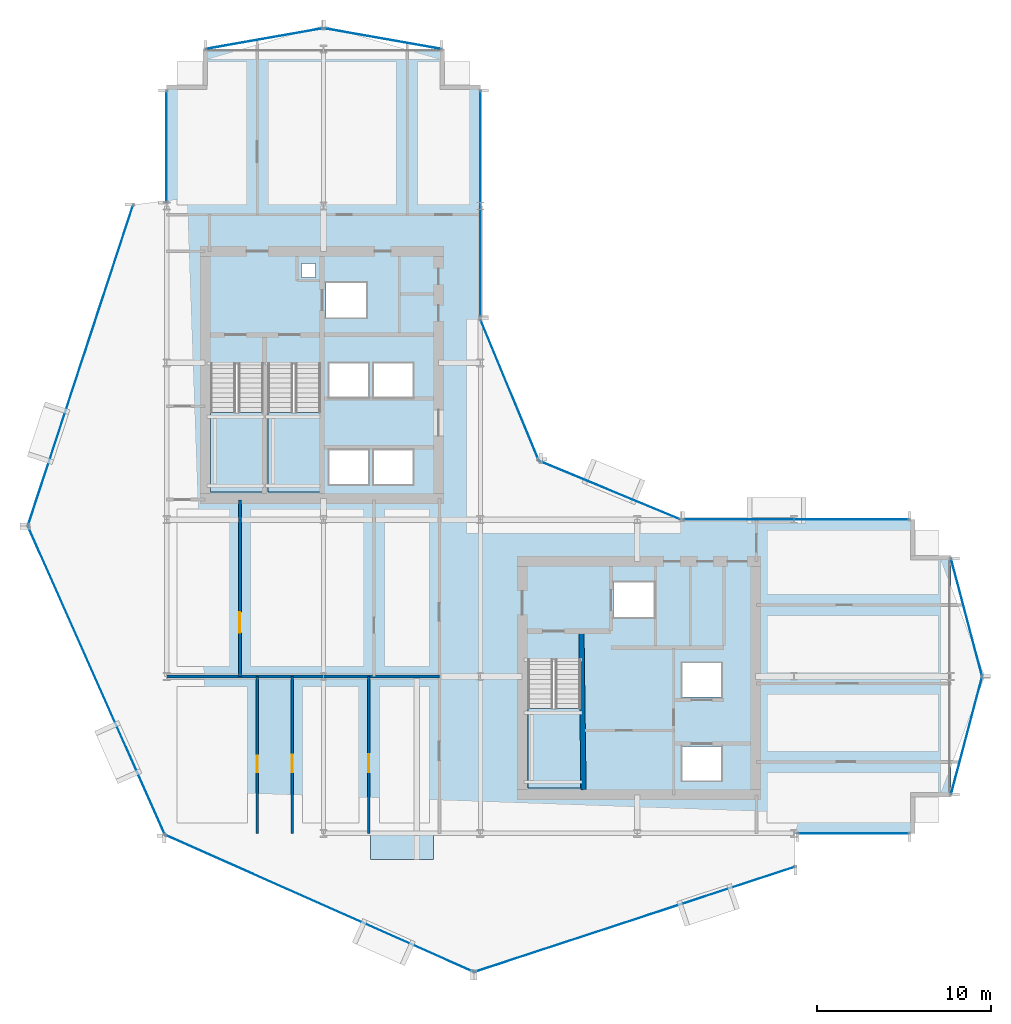
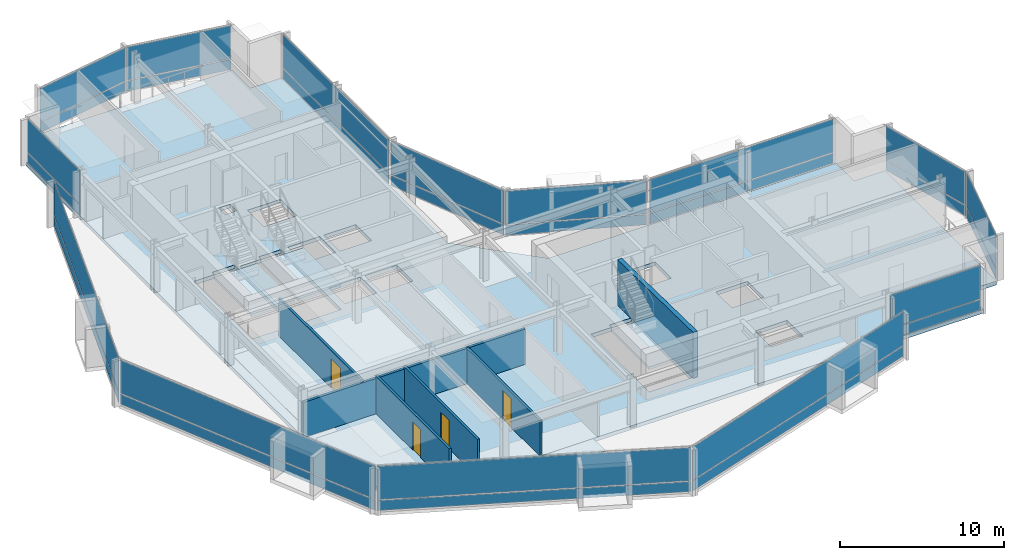
# One storey, part 21 of 29: 28 plates, 6 walls, 5 slabs, 4 doors, 4 openings, 17 elements without a shape of their own.
"""IFC4 building model written with IfcOpenShell, lengths in metres."""

from ifc_helpers import new_model, si_unit, direction, frame, frame_2d, origin, origin_2d, place, context, subcontext, project, spatial, polyline, rectangle, outline, extrude, material, layer, layer_set, type_object, element, fill, aggregate, save


model = new_model("IFC4")

# Units and contexts
model_context = context("Model", 3, precision=1e-05, world=origin(), true_north=direction((0.0, 1.0)))
body_context = subcontext(model_context, "Body", "Model", "MODEL_VIEW")
ifc_project = project(units=[si_unit("LENGTHUNIT", "METRE"), si_unit("AREAUNIT", "SQUARE_METRE"), si_unit("VOLUMEUNIT", "CUBIC_METRE"), si_unit("PLANEANGLEUNIT", "RADIAN"), si_unit("MASSUNIT", "GRAM", prefix="KILO")], contexts=[model_context])

# Site, building, storey
site_placement = place(None, origin())
site = spatial("IfcSite", under=ifc_project, at=site_placement, CompositionType="ELEMENT")
building_placement = place(site_placement, origin())
building = spatial("IfcBuilding", under=site, at=building_placement, Name="Solvaryn Broadcast Tower", CompositionType="ELEMENT")
storey_placement = place(building_placement, frame((0.0, 0.0, 124.800048828125)))
storey = spatial("IfcBuildingStorey", under=building, at=storey_placement, Name="L30", CompositionType="ELEMENT", Elevation=124.800048828125)

# Curtain wall, plates
ifc_material_1 = material(Name="Aluminium and Terracotta Unitised Curtain Wall", Category="masonry")
ifc_layer_1 = layer(ifc_material_1, 0.199951171875)
ifc_layer_set_1 = layer_set([ifc_layer_1], Name="CW-SYS2-LOWMID")
curtain_wall_type = type_object("IfcCurtainWallType", Name="CW-SYS2-LOWMID", PredefinedType="NOTDEFINED", material=ifc_layer_set_1)
curtain_wall_1_placement = place(storey_placement, origin())
curtain_wall_1 = element("IfcCurtainWall", 1, at=curtain_wall_1_placement, inside=storey, type_object=curtain_wall_type, Name="L30 Curtain Wall DR1", PredefinedType="NOTDEFINED")
ifc_material_2 = material(Name="Kiln-Fired Architectural Terracotta Spandrel", Category="masonry")
ifc_layer_2 = layer(ifc_material_2, 0.048095703125)
ifc_layer_set_2 = layer_set([ifc_layer_2], Name="CW-PNL-TERRACOTTA")
plate_type = type_object("IfcPlateType", Name="CW-PNL-TERRACOTTA", PredefinedType="CURTAIN_PANEL", material=ifc_layer_set_2)
plate_1_placement = place(storey_placement, frame((4.056396484375, 35.8515625, 0.06005859375), z_axis=(0.0, 0.0, 1.0), x_axis=(-0.311646057547, -0.950198260794, 0.0)))
plate_1 = element("IfcPlate", 2, at=plate_1_placement, type_object=plate_type, Name="CWS2 panel 1.1", PredefinedType="CURTAIN_PANEL", context=body_context, shape_type="SweptSolid", body=[
    extrude(rectangle(XDim=19.277099609375, YDim=0.028076171875, at=origin_2d()), origin(), (0.0, 0.0, 1.0), 0.760009765625),
])
plate_2_placement = place(storey_placement, frame((4.056396484375, 35.8515625, 0.8798828125), z_axis=(0.0, 0.0, 1.0), x_axis=(-0.311646057547, -0.950198260794, 0.0)))
plate_2 = element("IfcPlate", 3, at=plate_2_placement, type_object=plate_type, Name="CWS2 panel 1.2", PredefinedType="CURTAIN_PANEL", context=body_context, shape_type="SweptSolid", body=[
    extrude(rectangle(XDim=19.277099609375, YDim=0.028076171875, at=origin_2d()), origin(), (0.0, 0.0, 1.0), 2.47998046875),
])
aggregate(curtain_wall_1, [plate_1, plate_2])

curtain_wall_2_placement = place(storey_placement, origin())
curtain_wall_2 = element("IfcCurtainWall", 4, at=curtain_wall_2_placement, inside=storey, type_object=curtain_wall_type, Name="L30 Curtain Wall DR2", PredefinedType="NOTDEFINED")
plate_3_placement = place(storey_placement, frame((4.970947265625, 17.77197265625, 0.06005859375), z_axis=(0.0, 0.0, 1.0), x_axis=(0.405918429309, -0.913909311008, 0.0)))
plate_3 = element("IfcPlate", 5, at=plate_3_placement, type_object=plate_type, Name="CWS2 panel 1.1", PredefinedType="CURTAIN_PANEL", context=body_context, shape_type="SweptSolid", body=[
    extrude(rectangle(XDim=19.278076171875, YDim=0.028076171875, at=origin_2d()), origin(), (0.0, 0.0, 1.0), 0.760009765625),
])
plate_4_placement = place(storey_placement, frame((4.970947265625, 17.77197265625, 0.8798828125), z_axis=(0.0, 0.0, 1.0), x_axis=(0.405918429309, -0.913909311008, 0.0)))
plate_4 = element("IfcPlate", 6, at=plate_4_placement, type_object=plate_type, Name="CWS2 panel 1.2", PredefinedType="CURTAIN_PANEL", context=body_context, shape_type="SweptSolid", body=[
    extrude(rectangle(XDim=19.278076171875, YDim=0.028076171875, at=origin_2d()), origin(), (0.0, 0.0, 1.0), 2.47998046875),
])
aggregate(curtain_wall_2, [plate_3, plate_4])

curtain_wall_3_placement = place(storey_placement, origin())
curtain_wall_3 = element("IfcCurtainWall", 7, at=curtain_wall_3_placement, inside=storey, type_object=curtain_wall_type, Name="L30 Curtain Wall DR3", PredefinedType="NOTDEFINED")
plate_5_placement = place(storey_placement, frame((17.77197265625, 4.970947265625, 0.06005859375), z_axis=(0.0, 0.0, 1.0), x_axis=(0.913909311008, -0.405918429309, 0.0)))
plate_5 = element("IfcPlate", 8, at=plate_5_placement, type_object=plate_type, Name="CWS2 panel 1.1", PredefinedType="CURTAIN_PANEL", context=body_context, shape_type="SweptSolid", body=[
    extrude(rectangle(XDim=19.278076171875, YDim=0.028076171875, at=origin_2d()), origin(), (0.0, 0.0, 1.0), 0.760009765625),
])
plate_6_placement = place(storey_placement, frame((17.77197265625, 4.970947265625, 0.8798828125), z_axis=(0.0, 0.0, 1.0), x_axis=(0.913909311008, -0.405918429309, 0.0)))
plate_6 = element("IfcPlate", 9, at=plate_6_placement, type_object=plate_type, Name="CWS2 panel 1.2", PredefinedType="CURTAIN_PANEL", context=body_context, shape_type="SweptSolid", body=[
    extrude(rectangle(XDim=19.278076171875, YDim=0.028076171875, at=origin_2d()), origin(), (0.0, 0.0, 1.0), 2.47998046875),
])
aggregate(curtain_wall_3, [plate_5, plate_6])

curtain_wall_4_placement = place(storey_placement, origin())
curtain_wall_4 = element("IfcCurtainWall", 10, at=curtain_wall_4_placement, inside=storey, type_object=curtain_wall_type, Name="L30 Curtain Wall DR4", PredefinedType="NOTDEFINED")
plate_7_placement = place(storey_placement, frame((35.8515625, 4.056396484375, 0.06005859375), z_axis=(0.0, 0.0, 1.0), x_axis=(0.950198260794, 0.311646057547, 0.0)))
plate_7 = element("IfcPlate", 11, at=plate_7_placement, type_object=plate_type, Name="CWS2 panel 1.1", PredefinedType="CURTAIN_PANEL", context=body_context, shape_type="SweptSolid", body=[
    extrude(rectangle(XDim=19.277099609375, YDim=0.028076171875, at=origin_2d()), origin(), (0.0, 0.0, 1.0), 0.760009765625),
])
plate_8_placement = place(storey_placement, frame((35.8515625, 4.056396484375, 0.8798828125), z_axis=(0.0, 0.0, 1.0), x_axis=(0.950198260794, 0.311646057547, 0.0)))
plate_8 = element("IfcPlate", 12, at=plate_8_placement, type_object=plate_type, Name="CWS2 panel 1.2", PredefinedType="CURTAIN_PANEL", context=body_context, shape_type="SweptSolid", body=[
    extrude(rectangle(XDim=19.277099609375, YDim=0.028076171875, at=origin_2d()), origin(), (0.0, 0.0, 1.0), 2.47998046875),
])
aggregate(curtain_wall_4, [plate_7, plate_8])

curtain_wall_5_placement = place(storey_placement, origin())
curtain_wall_5 = element("IfcCurtainWall", 13, at=curtain_wall_5_placement, inside=storey, type_object=curtain_wall_type, Name="L30 Curtain Wall W2", PredefinedType="NOTDEFINED")
plate_9_placement = place(storey_placement, frame((9.0, 48.408447265625, 0.06005859375), z_axis=(0.0, 0.0, 1.0), x_axis=(0.0, 1.0, 0.0)))
plate_9 = element("IfcPlate", 14, at=plate_9_placement, type_object=plate_type, Name="CWS2 panel 1.1", PredefinedType="CURTAIN_PANEL", context=body_context, shape_type="SweptSolid", body=[
    extrude(rectangle(XDim=6.363037109375, YDim=0.028076171875, at=origin_2d()), origin(), (0.0, 0.0, 1.0), 0.760009765625),
])
plate_10_placement = place(storey_placement, frame((9.0, 48.408447265625, 0.8798828125), z_axis=(0.0, 0.0, 1.0), x_axis=(0.0, 1.0, 0.0)))
plate_10 = element("IfcPlate", 15, at=plate_10_placement, type_object=plate_type, Name="CWS2 panel 1.2", PredefinedType="CURTAIN_PANEL", context=body_context, shape_type="SweptSolid", body=[
    extrude(rectangle(XDim=6.363037109375, YDim=0.028076171875, at=origin_2d()), origin(), (0.0, 0.0, 1.0), 2.47998046875),
])
aggregate(curtain_wall_5, [plate_9, plate_10])

curtain_wall_6_placement = place(storey_placement, origin())
curtain_wall_6 = element("IfcCurtainWall", 16, at=curtain_wall_6_placement, inside=storey, type_object=curtain_wall_type, Name="L30 Curtain Wall IV", PredefinedType="NOTDEFINED")
plate_11_placement = place(storey_placement, frame((27.0, 45.125, 0.06005859375), z_axis=(0.0, 0.0, 1.0), x_axis=(0.0, -1.0, 0.0)))
plate_11 = element("IfcPlate", 17, at=plate_11_placement, type_object=plate_type, Name="CWS2 panel 1.1", PredefinedType="CURTAIN_PANEL", context=body_context, shape_type="SweptSolid", body=[
    extrude(rectangle(XDim=12.929931640625, YDim=0.028076171875, at=origin_2d()), origin(), (0.0, 0.0, 1.0), 0.760009765625),
])
plate_12_placement = place(storey_placement, frame((27.0, 45.125, 0.8798828125), z_axis=(0.0, 0.0, 1.0), x_axis=(0.0, -1.0, 0.0)))
plate_12 = element("IfcPlate", 18, at=plate_12_placement, type_object=plate_type, Name="CWS2 panel 1.2", PredefinedType="CURTAIN_PANEL", context=body_context, shape_type="SweptSolid", body=[
    extrude(rectangle(XDim=12.929931640625, YDim=0.028076171875, at=origin_2d()), origin(), (0.0, 0.0, 1.0), 2.47998046875),
])
aggregate(curtain_wall_6, [plate_11, plate_12])

curtain_wall_7_placement = place(storey_placement, origin())
curtain_wall_7 = element("IfcCurtainWall", 19, at=curtain_wall_7_placement, inside=storey, type_object=curtain_wall_type, Name="L30 Curtain Wall CN1", PredefinedType="NOTDEFINED")
plate_13_placement = place(storey_placement, frame((34.43408203125, 28.68408203125, 0.06005859375), z_axis=(0.0, 0.0, 1.0), x_axis=(-0.923894983957, 0.382646127145, 0.0)))
plate_13 = element("IfcPlate", 20, at=plate_13_placement, type_object=plate_type, Name="CWS2 panel 1.1", PredefinedType="CURTAIN_PANEL", context=body_context, shape_type="SweptSolid", body=[
    extrude(rectangle(XDim=8.681884765625, YDim=0.028076171875, at=origin_2d()), origin(), (0.0, 0.0, 1.0), 0.760009765625),
])
plate_14_placement = place(storey_placement, frame((34.43408203125, 28.68408203125, 0.8798828125), z_axis=(0.0, 0.0, 1.0), x_axis=(-0.923894983957, 0.382646127145, 0.0)))
plate_14 = element("IfcPlate", 21, at=plate_14_placement, type_object=plate_type, Name="CWS2 panel 1.2", PredefinedType="CURTAIN_PANEL", context=body_context, shape_type="SweptSolid", body=[
    extrude(rectangle(XDim=8.681884765625, YDim=0.028076171875, at=origin_2d()), origin(), (0.0, 0.0, 1.0), 2.47998046875),
])
aggregate(curtain_wall_7, [plate_13, plate_14])

curtain_wall_8_placement = place(storey_placement, origin())
curtain_wall_8 = element("IfcCurtainWall", 22, at=curtain_wall_8_placement, inside=storey, type_object=curtain_wall_type, Name="L30 Curtain Wall CN2", PredefinedType="NOTDEFINED")
plate_15_placement = place(storey_placement, frame((28.68408203125, 34.43408203125, 0.06005859375), z_axis=(0.0, 0.0, 1.0), x_axis=(-0.382646127145, 0.923894983957, 0.0)))
plate_15 = element("IfcPlate", 23, at=plate_15_placement, type_object=plate_type, Name="CWS2 panel 1.1", PredefinedType="CURTAIN_PANEL", context=body_context, shape_type="SweptSolid", body=[
    extrude(rectangle(XDim=8.681884765625, YDim=0.028076171875, at=origin_2d()), origin(), (0.0, 0.0, 1.0), 0.760009765625),
])
plate_16_placement = place(storey_placement, frame((28.68408203125, 34.43408203125, 0.8798828125), z_axis=(0.0, 0.0, 1.0), x_axis=(-0.382646127145, 0.923894983957, 0.0)))
plate_16 = element("IfcPlate", 24, at=plate_16_placement, type_object=plate_type, Name="CWS2 panel 1.2", PredefinedType="CURTAIN_PANEL", context=body_context, shape_type="SweptSolid", body=[
    extrude(rectangle(XDim=8.681884765625, YDim=0.028076171875, at=origin_2d()), origin(), (0.0, 0.0, 1.0), 2.47998046875),
])
aggregate(curtain_wall_8, [plate_15, plate_16])

curtain_wall_9_placement = place(storey_placement, origin())
curtain_wall_9 = element("IfcCurtainWall", 25, at=curtain_wall_9_placement, inside=storey, type_object=curtain_wall_type, Name="L30 Curtain Wall S2", PredefinedType="NOTDEFINED")
plate_17_placement = place(storey_placement, frame((48.408447265625, 9.0, 0.06005859375), z_axis=(0.0, 0.0, 1.0), x_axis=(1.0, 0.0, 0.0)))
plate_17 = element("IfcPlate", 26, at=plate_17_placement, type_object=plate_type, Name="CWS2 panel 1.1", PredefinedType="CURTAIN_PANEL", context=body_context, shape_type="SweptSolid", body=[
    extrude(rectangle(XDim=6.363037109375, YDim=0.028076171875, at=origin_2d()), origin(), (0.0, 0.0, 1.0), 0.760009765625),
])
plate_18_placement = place(storey_placement, frame((48.408447265625, 9.0, 0.8798828125), z_axis=(0.0, 0.0, 1.0), x_axis=(1.0, 0.0, 0.0)))
plate_18 = element("IfcPlate", 27, at=plate_18_placement, type_object=plate_type, Name="CWS2 panel 1.2", PredefinedType="CURTAIN_PANEL", context=body_context, shape_type="SweptSolid", body=[
    extrude(rectangle(XDim=6.363037109375, YDim=0.028076171875, at=origin_2d()), origin(), (0.0, 0.0, 1.0), 2.47998046875),
])
aggregate(curtain_wall_9, [plate_17, plate_18])

curtain_wall_10_placement = place(storey_placement, origin())
curtain_wall_10 = element("IfcCurtainWall", 28, at=curtain_wall_10_placement, inside=storey, type_object=curtain_wall_type, Name="L30 Curtain Wall NT1", PredefinedType="NOTDEFINED")
plate_19_placement = place(storey_placement, frame((21.39990234375, 54.60009765625, 0.06005859375), z_axis=(0.0, 0.0, 1.0), x_axis=(-0.984783558819, 0.173785333901, 0.0)))
plate_19 = element("IfcPlate", 29, at=plate_19_placement, type_object=plate_type, Name="CWS2 panel 1.1", PredefinedType="CURTAIN_PANEL", context=body_context, shape_type="SweptSolid", body=[
    extrude(rectangle(XDim=6.78515625, YDim=0.028076171875, at=origin_2d()), origin(), (0.0, 0.0, 1.0), 0.760009765625),
])
plate_20_placement = place(storey_placement, frame((21.39990234375, 54.60009765625, 0.8798828125), z_axis=(0.0, 0.0, 1.0), x_axis=(-0.984783558819, 0.173785333901, 0.0)))
plate_20 = element("IfcPlate", 30, at=plate_20_placement, type_object=plate_type, Name="CWS2 panel 1.2", PredefinedType="CURTAIN_PANEL", context=body_context, shape_type="SweptSolid", body=[
    extrude(rectangle(XDim=6.78515625, YDim=0.028076171875, at=origin_2d()), origin(), (0.0, 0.0, 1.0), 2.47998046875),
])
aggregate(curtain_wall_10, [plate_19, plate_20])

curtain_wall_11_placement = place(storey_placement, origin())
curtain_wall_11 = element("IfcCurtainWall", 31, at=curtain_wall_11_placement, inside=storey, type_object=curtain_wall_type, Name="L30 Curtain Wall NT2", PredefinedType="NOTDEFINED")
plate_21_placement = place(storey_placement, frame((14.60009765625, 54.60009765625, 0.06005859375), z_axis=(0.0, 0.0, 1.0), x_axis=(-0.984783558819, -0.173785333901, 0.0)))
plate_21 = element("IfcPlate", 32, at=plate_21_placement, type_object=plate_type, Name="CWS2 panel 1.1", PredefinedType="CURTAIN_PANEL", context=body_context, shape_type="SweptSolid", body=[
    extrude(rectangle(XDim=6.78515625, YDim=0.028076171875, at=origin_2d()), origin(), (0.0, 0.0, 1.0), 0.760009765625),
])
plate_22_placement = place(storey_placement, frame((14.60009765625, 54.60009765625, 0.8798828125), z_axis=(0.0, 0.0, 1.0), x_axis=(-0.984783558819, -0.173785333901, 0.0)))
plate_22 = element("IfcPlate", 33, at=plate_22_placement, type_object=plate_type, Name="CWS2 panel 1.2", PredefinedType="CURTAIN_PANEL", context=body_context, shape_type="SweptSolid", body=[
    extrude(rectangle(XDim=6.78515625, YDim=0.028076171875, at=origin_2d()), origin(), (0.0, 0.0, 1.0), 2.47998046875),
])
aggregate(curtain_wall_11, [plate_21, plate_22])

curtain_wall_12_placement = place(storey_placement, origin())
curtain_wall_12 = element("IfcCurtainWall", 34, at=curtain_wall_12_placement, inside=storey, type_object=curtain_wall_type, Name="L30 Curtain Wall ET1", PredefinedType="NOTDEFINED")
plate_23_placement = place(storey_placement, frame((54.89990234375, 21.39990234375, 0.06005859375), z_axis=(0.0, 0.0, 1.0), x_axis=(0.25589256031, -0.966705227863, 0.0)))
plate_23 = element("IfcPlate", 35, at=plate_23_placement, type_object=plate_type, Name="CWS2 panel 1.1", PredefinedType="CURTAIN_PANEL", context=body_context, shape_type="SweptSolid", body=[
    extrude(rectangle(XDim=6.914306640625, YDim=0.028076171875, at=origin_2d()), origin(), (0.0, 0.0, 1.0), 0.760009765625),
])
plate_24_placement = place(storey_placement, frame((54.89990234375, 21.39990234375, 0.8798828125), z_axis=(0.0, 0.0, 1.0), x_axis=(0.25589256031, -0.966705227863, 0.0)))
plate_24 = element("IfcPlate", 36, at=plate_24_placement, type_object=plate_type, Name="CWS2 panel 1.2", PredefinedType="CURTAIN_PANEL", context=body_context, shape_type="SweptSolid", body=[
    extrude(rectangle(XDim=6.914306640625, YDim=0.028076171875, at=origin_2d()), origin(), (0.0, 0.0, 1.0), 2.47998046875),
])
aggregate(curtain_wall_12, [plate_23, plate_24])

curtain_wall_13_placement = place(storey_placement, origin())
curtain_wall_13 = element("IfcCurtainWall", 37, at=curtain_wall_13_placement, inside=storey, type_object=curtain_wall_type, Name="L30 Curtain Wall ET2", PredefinedType="NOTDEFINED")
plate_25_placement = place(storey_placement, frame((54.89990234375, 14.60009765625, 0.06005859375), z_axis=(0.0, 0.0, 1.0), x_axis=(-0.25589256031, -0.966705227863, 0.0)))
plate_25 = element("IfcPlate", 38, at=plate_25_placement, type_object=plate_type, Name="CWS2 panel 1.1", PredefinedType="CURTAIN_PANEL", context=body_context, shape_type="SweptSolid", body=[
    extrude(rectangle(XDim=6.914306640625, YDim=0.028076171875, at=origin_2d()), origin(), (0.0, 0.0, 1.0), 0.760009765625),
])
plate_26_placement = place(storey_placement, frame((54.89990234375, 14.60009765625, 0.8798828125), z_axis=(0.0, 0.0, 1.0), x_axis=(-0.25589256031, -0.966705227863, 0.0)))
plate_26 = element("IfcPlate", 39, at=plate_26_placement, type_object=plate_type, Name="CWS2 panel 1.2", PredefinedType="CURTAIN_PANEL", context=body_context, shape_type="SweptSolid", body=[
    extrude(rectangle(XDim=6.914306640625, YDim=0.028076171875, at=origin_2d()), origin(), (0.0, 0.0, 1.0), 2.47998046875),
])
aggregate(curtain_wall_13, [plate_25, plate_26])

curtain_wall_14_placement = place(storey_placement, origin())
curtain_wall_14 = element("IfcCurtainWall", 40, at=curtain_wall_14_placement, inside=storey, type_object=curtain_wall_type, Name="L30 Curtain Wall IH", PredefinedType="NOTDEFINED")
plate_27_placement = place(storey_placement, frame((45.125, 27.0, 0.06005859375), z_axis=(0.0, 0.0, 1.0), x_axis=(1.0, 0.0, 0.0)))
plate_27 = element("IfcPlate", 41, at=plate_27_placement, type_object=plate_type, Name="CWS2 panel 1.1", PredefinedType="CURTAIN_PANEL", context=body_context, shape_type="SweptSolid", body=[
    extrude(rectangle(XDim=12.929931640625, YDim=0.028076171875, at=origin_2d()), origin(), (0.0, 0.0, 1.0), 0.760009765625),
])
plate_28_placement = place(storey_placement, frame((45.125, 27.0, 0.8798828125), z_axis=(0.0, 0.0, 1.0), x_axis=(1.0, 0.0, 0.0)))
plate_28 = element("IfcPlate", 42, at=plate_28_placement, type_object=plate_type, Name="CWS2 panel 1.2", PredefinedType="CURTAIN_PANEL", context=body_context, shape_type="SweptSolid", body=[
    extrude(rectangle(XDim=12.929931640625, YDim=0.028076171875, at=origin_2d()), origin(), (0.0, 0.0, 1.0), 2.47998046875),
])
aggregate(curtain_wall_14, [plate_27, plate_28])

# Slab
ifc_material_3 = material(Name="Concrete f'c 60 MPa", Category="concrete")
ifc_layer_3 = layer(ifc_material_3, 0.2099609375)
ifc_layer_set_3 = layer_set([ifc_layer_3], Name="SL-BAYBOX-210")
slab_type_1 = type_object("IfcSlabType", Name="SL-BAYBOX-210", PredefinedType="FLOOR", material=ifc_layer_set_3)
slab_1_placement = place(storey_placement, frame((0.0, 0.0, -0.2099609375)))
element("IfcSlab", 43, at=slab_1_placement, inside=storey, type_object=slab_type_1, Name="L30 Projecting Bay-Box Slab 1", PredefinedType="FLOOR", context=body_context, shape_type="SweptSolid", body=[
    extrude(outline(polyline([(20.699951171875, 7.5), (24.300048828125, 7.5), (24.300048828125, 9.0), (20.699951171875, 9.0), (20.699951171875, 7.5)])), origin(), (0.0, 0.0, 1.0), 0.2099609375),
])

# Stair, slab
ifc_material_4 = material(Name="Concrete f'c 60 MPa", Category="concrete")
stair_type = type_object("IfcStairType", Name="ST-CORE", PredefinedType="HALF_TURN_STAIR", material=ifc_material_4)
stair_1_placement = place(storey_placement, origin())
stair_1 = element("IfcStair", 44, at=stair_1_placement, inside=storey, type_object=stair_type, Name="L30 ST1", PredefinedType="HALF_TURN_STAIR")
ifc_material_5 = material(Name="Concrete f'c 60 MPa", Category="concrete")
ifc_layer_4 = layer(ifc_material_5, 0.199951171875)
ifc_layer_set_4 = layer_set([ifc_layer_4], Name="SL-LANDING-200")
slab_type_2 = type_object("IfcSlabType", Name="SL-LANDING-200", PredefinedType="LANDING", material=ifc_layer_set_4)
slab_2_placement = place(storey_placement, frame((0.0, 0.0, 1.64990234375)))
slab_2 = element("IfcSlab", 45, at=slab_2_placement, type_object=slab_type_2, Name="ST1 landing 1", PredefinedType="LANDING", context=body_context, shape_type="SweptSolid", body=[
    extrude(outline(polyline([(11.52001953125, 33.159912109375), (11.52001953125, 28.60009765625), (14.550048828125, 28.60009765625), (14.550048828125, 33.159912109375), (11.52001953125, 33.159912109375)])), origin(), (0.0, 0.0, 1.0), 0.199951171875),
])
aggregate(stair_1, [slab_2])

stair_2_placement = place(storey_placement, origin())
stair_2 = element("IfcStair", 46, at=stair_2_placement, inside=storey, type_object=stair_type, Name="L30 ST2", PredefinedType="HALF_TURN_STAIR")
slab_3_placement = place(storey_placement, frame((0.0, 0.0, 1.64990234375)))
slab_3 = element("IfcSlab", 47, at=slab_3_placement, type_object=slab_type_2, Name="ST2 landing 1", PredefinedType="LANDING", context=body_context, shape_type="SweptSolid", body=[
    extrude(outline(polyline([(14.800048828125, 33.159912109375), (14.800048828125, 28.60009765625), (17.830078125, 28.60009765625), (17.830078125, 33.159912109375), (14.800048828125, 33.159912109375)])), origin(), (0.0, 0.0, 1.0), 0.199951171875),
])
aggregate(stair_2, [slab_3])

stair_3_placement = place(storey_placement, origin())
stair_3 = element("IfcStair", 48, at=stair_3_placement, inside=storey, type_object=stair_type, Name="L30 ST3", PredefinedType="HALF_TURN_STAIR")
slab_4_placement = place(storey_placement, frame((0.0, 0.0, 1.64990234375)))
slab_4 = element("IfcSlab", 49, at=slab_4_placement, type_object=slab_type_2, Name="ST3 landing 1", PredefinedType="LANDING", context=body_context, shape_type="SweptSolid", body=[
    extrude(outline(polyline([(29.719970703125, 16.159912109375), (29.719970703125, 11.60009765625), (32.75, 11.60009765625), (32.75, 16.159912109375), (29.719970703125, 16.159912109375)])), origin(), (0.0, 0.0, 1.0), 0.199951171875),
])
aggregate(stair_3, [slab_4])

# Slab
ifc_material_6 = material(Name="Concrete f'c 60 MPa", Category="concrete")
ifc_layer_5 = layer(ifc_material_6, 0.280029296875)
ifc_layer_set_5 = layer_set([ifc_layer_5], Name="SL-TWR-280")
slab_type_3 = type_object("IfcSlabType", Name="SL-TWR-280", PredefinedType="FLOOR", material=ifc_layer_set_5)
slab_5_placement = place(storey_placement, frame((0.0, 0.0, -0.280029296875)))
element("IfcSlab", 50, at=slab_5_placement, inside=storey, type_object=slab_type_3, Name="L30 Structural Floor Slab", PredefinedType="FLOOR", context=body_context, shape_type="SweptSolid", body=[
    extrude(outline(polyline([(11.199951171875, 9.0), (51.800048828125, 9.0), (51.800048828125, 11.199951171875), (54.0, 11.199951171875), (54.0, 24.800048828125), (51.800048828125, 24.800048828125), (51.800048828125, 27.0), (31.5, 27.0), (27.0, 31.5), (27.0, 51.800048828125), (24.800048828125, 51.800048828125), (24.800048828125, 54.0), (11.199951171875, 54.0), (11.199951171875, 51.800048828125), (9.0, 51.800048828125), (9.0, 11.199951171875), (11.199951171875, 11.199951171875), (11.199951171875, 9.0)]), holes=[polyline([(11.52001953125, 28.60009765625), (14.550048828125, 28.60009765625), (14.550048828125, 35.9599609375), (12.97998046875, 35.9599609375), (12.97998046875, 35.679931640625), (11.52001953125, 35.679931640625), (11.52001953125, 28.60009765625)]), polyline([(14.800048828125, 28.60009765625), (17.830078125, 28.60009765625), (17.830078125, 35.9599609375), (16.260009765625, 35.9599609375), (16.260009765625, 35.679931640625), (14.800048828125, 35.679931640625), (14.800048828125, 28.60009765625)]), polyline([(29.719970703125, 11.60009765625), (32.75, 11.60009765625), (32.75, 18.9599609375), (31.179931640625, 18.9599609375), (31.179931640625, 18.679931640625), (29.719970703125, 18.679931640625), (29.719970703125, 11.60009765625)]), polyline([(18.14990234375, 38.60009765625), (20.449951171875, 38.60009765625), (20.449951171875, 40.60009765625), (18.14990234375, 40.60009765625), (18.14990234375, 38.60009765625)]), polyline([(18.324951171875, 29.02490234375), (20.574951171875, 29.02490234375), (20.574951171875, 30.97509765625), (18.324951171875, 30.97509765625), (18.324951171875, 29.02490234375)]), polyline([(20.875, 29.02490234375), (23.125, 29.02490234375), (23.125, 30.97509765625), (20.875, 30.97509765625), (20.875, 29.02490234375)]), polyline([(18.324951171875, 34.02490234375), (20.574951171875, 34.02490234375), (20.574951171875, 35.97509765625), (18.324951171875, 35.97509765625), (18.324951171875, 34.02490234375)]), polyline([(20.875, 34.02490234375), (23.125, 34.02490234375), (23.125, 35.97509765625), (20.875, 35.97509765625), (20.875, 34.02490234375)]), polyline([(34.64990234375, 21.39990234375), (36.949951171875, 21.39990234375), (36.949951171875, 23.39990234375), (34.64990234375, 23.39990234375), (34.64990234375, 21.39990234375)]), polyline([(38.574951171875, 12.02490234375), (40.824951171875, 12.02490234375), (40.824951171875, 13.97509765625), (38.574951171875, 13.97509765625), (38.574951171875, 12.02490234375)]), polyline([(38.574951171875, 16.824951171875), (40.824951171875, 16.824951171875), (40.824951171875, 18.77490234375), (38.574951171875, 18.77490234375), (38.574951171875, 16.824951171875)]), polyline([(16.75, 40.89990234375), (17.550048828125, 40.89990234375), (17.550048828125, 41.699951171875), (16.75, 41.699951171875), (16.75, 40.89990234375)])]), origin(), (0.0, 0.0, 1.0), 0.280029296875),
])

# Wall, opening, door
ifc_material_7 = material(Name="Metal-Stud Gypsum Office Partition")
ifc_layer_6 = layer(ifc_material_7, 0.159912109375)
ifc_layer_set_6 = layer_set([ifc_layer_6], Name="IW-PART-160")
wall_type_1 = type_object("IfcWallType", Name="IW-PART-160", PredefinedType="PARTITIONING", material=ifc_layer_set_6)
wall_1_placement = place(storey_placement, frame((13.199951171875, 18.0, 0.0), z_axis=(0.0, 0.0, 1.0), x_axis=(0.0, 1.0, 0.0)))
wall_1 = element("IfcWall", 51, at=wall_1_placement, inside=storey, type_object=wall_type_1, Name="L30 Interior Partition IW-L30-SWN-V1", PredefinedType="PARTITIONING", context=body_context, shape_type="SweptSolid", body=[
    extrude(rectangle(XDim=10.1298828125, YDim=0.159912109375, at=frame_2d((5.06494140625, 0.0))), origin(), (0.0, 0.0, 1.0), 2.7890625),
])
opening_1_placement = place(wall_1_placement, frame((2.5, 0.0, 0.0)))
opening_1 = element("IfcOpeningElement", 52, at=opening_1_placement, cuts=wall_1, Name="Opening ID04", PredefinedType="OPENING", context=body_context, shape_type="SweptSolid", body=[
    extrude(rectangle(XDim=1.199951171875, YDim=2.14990234375, at=frame_2d((0.60009765625, 1.074951171875))), frame((0.0, 0.090087890625, 0.0), z_axis=(0.0, -1.0, 0.0), x_axis=(1.0, 0.0, 0.0)), (0.0, 0.0, 1.0), 0.179931640625),
])
ifc_material_8 = material(Name="Flush Acoustic Steel and Timber Door Assembly", Category="steel")
door_type_1 = type_object("IfcDoorType", Name="ID-04-1200X2150", OperationType="NOTDEFINED", PredefinedType="DOOR", material=ifc_material_8)
door_1_placement = place(opening_1_placement, origin())
door_1 = element("IfcDoor", 53, at=door_1_placement, inside=storey, type_object=door_type_1, Name="L30 Door DR-L30-SWN-1", OperationType="SINGLE_SWING_LEFT", OverallHeight=2.14990234375, OverallWidth=1.199951171875, PredefinedType="DOOR", context=body_context, shape_type="SweptSolid", body=[
    extrude(rectangle(XDim=1.199951171875, YDim=2.14990234375, at=frame_2d((0.60009765625, 1.074951171875))), frame((0.0, 0.02490234375, 0.0), z_axis=(0.0, -1.0, 0.0), x_axis=(1.0, 0.0, 0.0)), (0.0, 0.0, 1.0), 0.050048828125),
])
fill(opening_1, door_1)

wall_2_placement = place(storey_placement, frame((14.199951171875, 9.0, 0.0), z_axis=(0.0, 0.0, 1.0), x_axis=(0.0, 1.0, 0.0)))
wall_2 = element("IfcWall", 54, at=wall_2_placement, inside=storey, type_object=wall_type_1, Name="L30 Interior Partition IW-L30-SWS-V1", PredefinedType="PARTITIONING", context=body_context, shape_type="SweptSolid", body=[
    extrude(rectangle(XDim=9.0, YDim=0.159912109375, at=frame_2d((4.5, 0.0))), origin(), (0.0, 0.0, 1.0), 2.7890625),
])
opening_2_placement = place(wall_2_placement, frame((3.5, 0.0, 0.0)))
opening_2 = element("IfcOpeningElement", 55, at=opening_2_placement, cuts=wall_2, Name="Opening ID01", PredefinedType="OPENING", context=body_context, shape_type="SweptSolid", body=[
    extrude(rectangle(XDim=0.949951171875, YDim=2.10009765625, at=frame_2d((0.47509765625, 1.050048828125))), frame((0.0, 0.090087890625, 0.0), z_axis=(0.0, -1.0, 0.0), x_axis=(1.0, 0.0, 0.0)), (0.0, 0.0, 1.0), 0.179931640625),
])
ifc_material_9 = material(Name="Flush Acoustic Steel and Timber Door Assembly", Category="steel")
door_type_2 = type_object("IfcDoorType", Name="ID-01-950X2100", OperationType="NOTDEFINED", PredefinedType="DOOR", material=ifc_material_9)
door_2_placement = place(opening_2_placement, origin())
door_2 = element("IfcDoor", 56, at=door_2_placement, inside=storey, type_object=door_type_2, Name="L30 Door DR-L30-SWS-1", OperationType="SINGLE_SWING_LEFT", OverallHeight=2.10009765625, OverallWidth=0.949951171875, PredefinedType="DOOR", context=body_context, shape_type="SweptSolid", body=[
    extrude(rectangle(XDim=0.949951171875, YDim=2.10009765625, at=frame_2d((0.47509765625, 1.050048828125))), frame((0.0, 0.02490234375, 0.0), z_axis=(0.0, -1.0, 0.0), x_axis=(1.0, 0.0, 0.0)), (0.0, 0.0, 1.0), 0.050048828125),
])
fill(opening_2, door_2)

wall_3_placement = place(storey_placement, frame((16.199951171875, 9.0, 0.0), z_axis=(0.0, 0.0, 1.0), x_axis=(0.0, 1.0, 0.0)))
wall_3 = element("IfcWall", 57, at=wall_3_placement, inside=storey, type_object=wall_type_1, Name="L30 Interior Partition IW-L30-SWS-V2", PredefinedType="PARTITIONING", context=body_context, shape_type="SweptSolid", body=[
    extrude(rectangle(XDim=9.0, YDim=0.159912109375, at=frame_2d((4.5, 0.0))), origin(), (0.0, 0.0, 1.0), 2.7890625),
])
opening_3_placement = place(wall_3_placement, frame((3.5, 0.0, 0.0)))
opening_3 = element("IfcOpeningElement", 58, at=opening_3_placement, cuts=wall_3, Name="Opening ID02", PredefinedType="OPENING", context=body_context, shape_type="SweptSolid", body=[
    extrude(rectangle(XDim=1.0, YDim=2.10009765625, at=frame_2d((0.5, 1.050048828125))), frame((0.0, 0.090087890625, 0.0), z_axis=(0.0, -1.0, 0.0), x_axis=(1.0, 0.0, 0.0)), (0.0, 0.0, 1.0), 0.179931640625),
])
ifc_material_10 = material(Name="Flush Acoustic Steel and Timber Door Assembly", Category="steel")
door_type_3 = type_object("IfcDoorType", Name="ID-02-1000X2100", OperationType="NOTDEFINED", PredefinedType="DOOR", material=ifc_material_10)
door_3_placement = place(opening_3_placement, origin())
door_3 = element("IfcDoor", 59, at=door_3_placement, inside=storey, type_object=door_type_3, Name="L30 Door DR-L30-SWS-2", OperationType="SINGLE_SWING_RIGHT", OverallHeight=2.10009765625, OverallWidth=1.0, PredefinedType="DOOR", context=body_context, shape_type="SweptSolid", body=[
    extrude(rectangle(XDim=1.0, YDim=2.10009765625, at=frame_2d((0.5, 1.050048828125))), frame((0.0, 0.02490234375, 0.0), z_axis=(0.0, -1.0, 0.0), x_axis=(1.0, 0.0, 0.0)), (0.0, 0.0, 1.0), 0.050048828125),
])
fill(opening_3, door_3)

wall_4_placement = place(storey_placement, frame((20.60009765625, 9.0, 0.0), z_axis=(0.0, 0.0, 1.0), x_axis=(0.0, 1.0, 0.0)))
wall_4 = element("IfcWall", 60, at=wall_4_placement, inside=storey, type_object=wall_type_1, Name="L30 Interior Partition IW-L30-SWS-V3", PredefinedType="PARTITIONING", context=body_context, shape_type="SweptSolid", body=[
    extrude(rectangle(XDim=9.0, YDim=0.159912109375, at=frame_2d((4.5, 0.0))), origin(), (0.0, 0.0, 1.0), 2.634033203125),
])
opening_4_placement = place(wall_4_placement, frame((3.5, 0.0, 0.0)))
opening_4 = element("IfcOpeningElement", 61, at=opening_4_placement, cuts=wall_4, Name="Opening ID03", PredefinedType="OPENING", context=body_context, shape_type="SweptSolid", body=[
    extrude(rectangle(XDim=1.050048828125, YDim=2.14990234375, at=frame_2d((0.52490234375, 1.074951171875))), frame((0.0, 0.090087890625, 0.0), z_axis=(0.0, -1.0, 0.0), x_axis=(1.0, 0.0, 0.0)), (0.0, 0.0, 1.0), 0.179931640625),
])
ifc_material_11 = material(Name="Flush Acoustic Steel and Timber Door Assembly", Category="steel")
door_type_4 = type_object("IfcDoorType", Name="ID-03-1050X2150", OperationType="NOTDEFINED", PredefinedType="DOOR", material=ifc_material_11)
door_4_placement = place(opening_4_placement, origin())
door_4 = element("IfcDoor", 62, at=door_4_placement, inside=storey, type_object=door_type_4, Name="L30 Door DR-L30-SWS-3", OperationType="SINGLE_SWING_LEFT", OverallHeight=2.14990234375, OverallWidth=1.050048828125, PredefinedType="DOOR", context=body_context, shape_type="SweptSolid", body=[
    extrude(rectangle(XDim=1.050048828125, YDim=2.14990234375, at=frame_2d((0.52490234375, 1.074951171875))), frame((0.0, 0.02490234375, 0.0), z_axis=(0.0, -1.0, 0.0), x_axis=(1.0, 0.0, 0.0)), (0.0, 0.0, 1.0), 0.050048828125),
])
fill(opening_4, door_4)

# Walls
ifc_material_12 = material(Name="Acoustic Metal-Stud Gypsum Partition")
ifc_layer_7 = layer(ifc_material_12, 0.179931640625)
ifc_layer_set_7 = layer_set([ifc_layer_7], Name="IW-PART-180")
wall_type_2 = type_object("IfcWallType", Name="IW-PART-180", PredefinedType="PARTITIONING", material=ifc_layer_set_7)
wall_5_placement = place(storey_placement, frame((9.0, 18.0, 0.0), z_axis=(0.0, 0.0, 1.0), x_axis=(1.0, 0.0, 0.0)))
element("IfcWall", 63, at=wall_5_placement, inside=storey, type_object=wall_type_2, Name="L30 Interior Partition IW-L30-SW-HY", PredefinedType="PARTITIONING", context=body_context, shape_type="SweptSolid", body=[
    extrude(rectangle(XDim=15.64990234375, YDim=0.179931640625, at=frame_2d((7.824951171875, 0.0))), origin(), (0.0, 0.0, 1.0), 2.634033203125),
])
ifc_material_13 = material(Name="Concrete f'c 70 MPa", Category="concrete")
ifc_layer_8 = layer(ifc_material_13, 0.300048828125)
ifc_layer_set_8 = layer_set([ifc_layer_8], Name="SW-SHAFT-300")
wall_type_3 = type_object("IfcWallType", Name="SW-SHAFT-300", PredefinedType="SHEAR", material=ifc_layer_set_8)
wall_6_placement = place(storey_placement, frame((32.919921875, 11.5, 0.0), z_axis=(0.0, 0.0, 1.0), x_axis=(-0.013244407292, 0.999912288991, 0.0)))
element("IfcWall", 64, at=wall_6_placement, inside=storey, type_object=wall_type_3, Name="L30 Stair 3 East Shear Wall", PredefinedType="SHEAR", context=body_context, shape_type="SweptSolid", body=[
    extrude(rectangle(XDim=9.05078125, YDim=0.300048828125, at=frame_2d((4.525390625, 0.0))), origin(), (0.0, 0.0, 1.0), 3.419921875),
])

save(model, "model.ifc")
